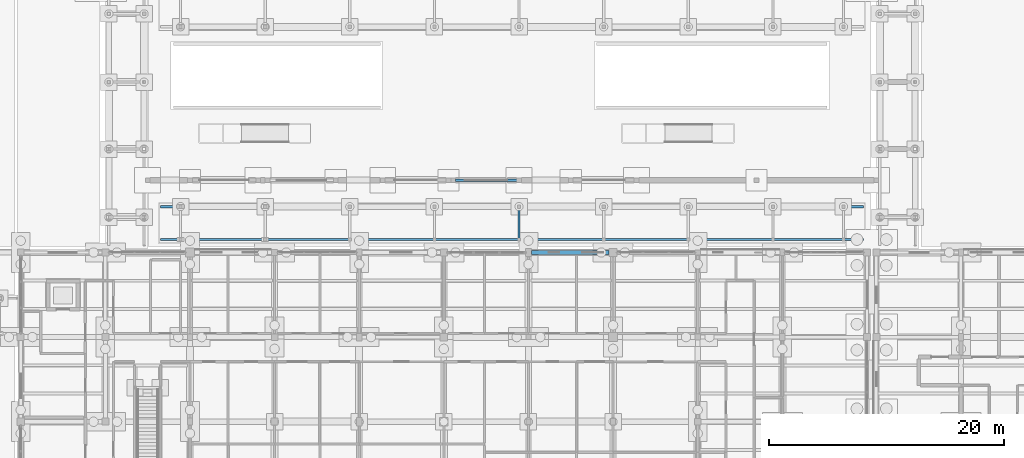
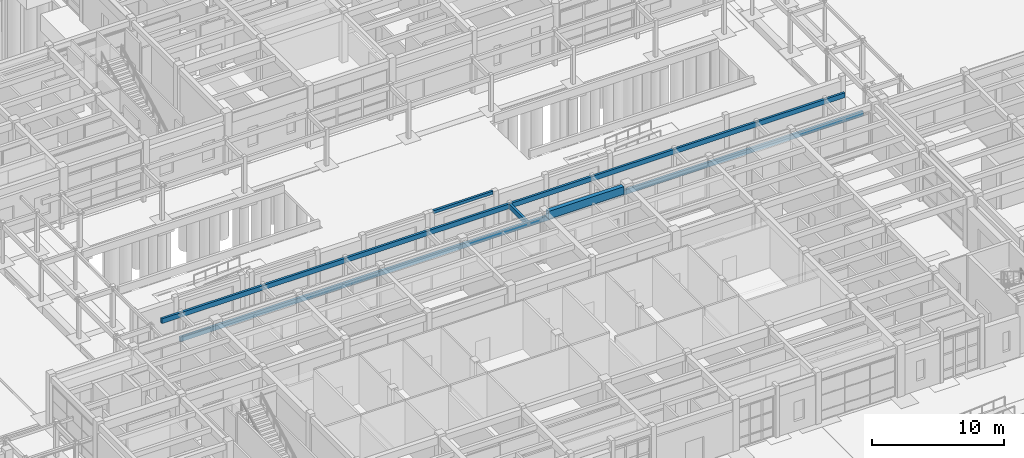
# One storey, part 47 of 143: 5 beams.
"""IFC4 building model written with IfcOpenShell, lengths in metres."""

from ifc_helpers import new_model, si_unit, direction, frame, origin, origin_2d, place, context, subcontext, project, spatial, rectangle, extrude, material, material_profile, profile_set, type_object, element, save


model = new_model("IFC4")

# Units and contexts
model_context = context("Model", 3, precision=1e-05, world=origin(), true_north=direction((0.0, 1.0)))
body_context = subcontext(model_context, "Body", "Model", "MODEL_VIEW")
ifc_project = project(units=[si_unit("LENGTHUNIT", "METRE"), si_unit("AREAUNIT", "SQUARE_METRE"), si_unit("VOLUMEUNIT", "CUBIC_METRE"), si_unit("PLANEANGLEUNIT", "RADIAN"), si_unit("MASSUNIT", "GRAM", prefix="KILO")], contexts=[model_context])

# Site, building, storey
site_placement = place(None, origin())
site = spatial("IfcSite", under=ifc_project, at=site_placement, CompositionType="ELEMENT")
building_placement = place(site_placement, origin())
building = spatial("IfcBuilding", under=site, at=building_placement, Name="Steenspoor Specialist Clinic", CompositionType="ELEMENT")
storey_placement = place(building_placement, origin())
storey = spatial("IfcBuildingStorey", under=building, at=storey_placement, Name="L00", CompositionType="ELEMENT", Elevation=0.0)

# Beams
ifc_material_1 = material(Name="Glulam GL28h", Category="wood")
ifc_material_profile_1 = material_profile(ifc_material_1, rectangle(XDim=0.199951171875, YDim=0.43994140625, at=origin_2d()), Name="GL28H-200X440")
ifc_profile_set_1 = profile_set([ifc_material_profile_1], Name="Glulam GL28h")
beam_type_1 = type_object("IfcBeamType", Name="BM-GL-200X440", PredefinedType="BEAM", material=ifc_profile_set_1)
for number, where, z_axis, x_axis, name in (
    (1, (57.10009765625, 42.949951171875, 3.014892578125), (1.0, 0.0, 0.0), (0.0, 1.0, 0.0), "BM-WK5-CONT-0"),
    (2, (57.10009765625, 45.75, 3.014892578125), (1.0, 0.0, 0.0), (0.0, 1.0, 0.0), "BM-WK5-CONT-1"),
):
    element("IfcBeam", number, at=place(storey_placement, frame(where, z_axis=z_axis, x_axis=x_axis)), inside=storey, type_object=beam_type_1, Name=name, PredefinedType="BEAM", context=body_context, shape_type="SweptSolid", body=[
        extrude(rectangle(XDim=0.199951171875, YDim=0.43994140625, at=origin_2d()), origin(), (0.0, 0.0, 1.0), 59.7998046875),
    ])
beam_1_placement = place(storey_placement, frame((87.60009765625, 43.030029296875, 3.014892578125), z_axis=(0.0, 1.0, 0.0), x_axis=(-1.0, 0.0, 0.0)))
element("IfcBeam", 3, at=beam_1_placement, inside=storey, type_object=beam_type_1, Name="BM-WK5-T-876", PredefinedType="BEAM", context=body_context, shape_type="SweptSolid", body=[
    extrude(rectangle(XDim=0.199951171875, YDim=0.43994140625, at=origin_2d()), origin(), (0.0, 0.0, 1.0), 2.639892578125),
])
ifc_material_2 = material(Name="Concrete C35/45", Category="concrete")
ifc_material_profile_2 = material_profile(ifc_material_2, rectangle(XDim=0.199951171875, YDim=0.280029296875, at=origin_2d()), Name="RC-LN-200X280")
ifc_profile_set_2 = profile_set([ifc_material_profile_2], Name="Concrete C35/45")
beam_type_2 = type_object("IfcBeamType", Name="LN-RC-200X280", PredefinedType="LINTEL", material=ifc_profile_set_2)
beam_2_placement = place(storey_placement, frame((82.195068359375, 48.0, 2.9599609375), z_axis=(1.0, 0.0, 0.0), x_axis=(0.0, 1.0, 0.0)))
element("IfcBeam", 4, at=beam_2_placement, inside=storey, type_object=beam_type_2, Name="Portal Opening Lintel GT05", PredefinedType="LINTEL", context=body_context, shape_type="SweptSolid", body=[
    extrude(rectangle(XDim=0.199951171875, YDim=0.280029296875, at=origin_2d()), origin(), (0.0, 0.0, 1.0), 5.2099609375),
])
ifc_material_profile_3 = material_profile(ifc_material_2, rectangle(XDim=0.360107421875, YDim=0.719970703125, at=origin_2d()), Name="RC-SP-360X720")
ifc_profile_set_3 = profile_set([ifc_material_profile_3], Name="Concrete C35/45")
beam_type_3 = type_object("IfcBeamType", Name="SP-RC-360X720", PredefinedType="SPANDREL", material=ifc_profile_set_3)
beam_3_placement = place(storey_placement, frame((88.64501953125, 41.85009765625, 4.18994140625), z_axis=(1.0, 0.0, 0.0), x_axis=(0.0, 1.0, 0.0)))
element("IfcBeam", 5, at=beam_3_placement, inside=storey, type_object=beam_type_3, Name="BM-V1-L00-X0036", PredefinedType="SPANDREL", context=body_context, shape_type="SweptSolid", body=[
    extrude(rectangle(XDim=0.360107421875, YDim=0.719970703125, at=origin_2d()), origin(), (0.0, 0.0, 1.0), 6.60986328125),
])

save(model, "model.ifc")
